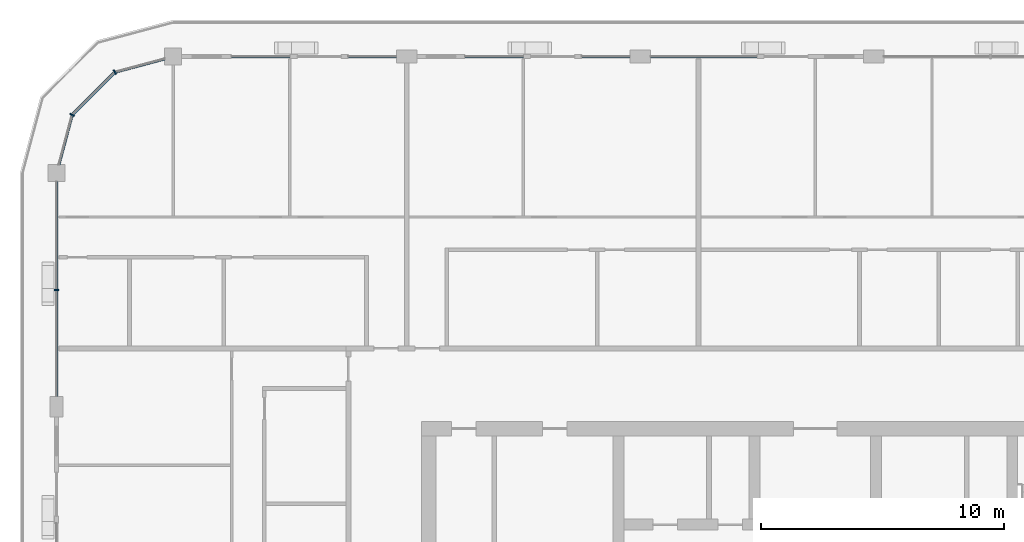
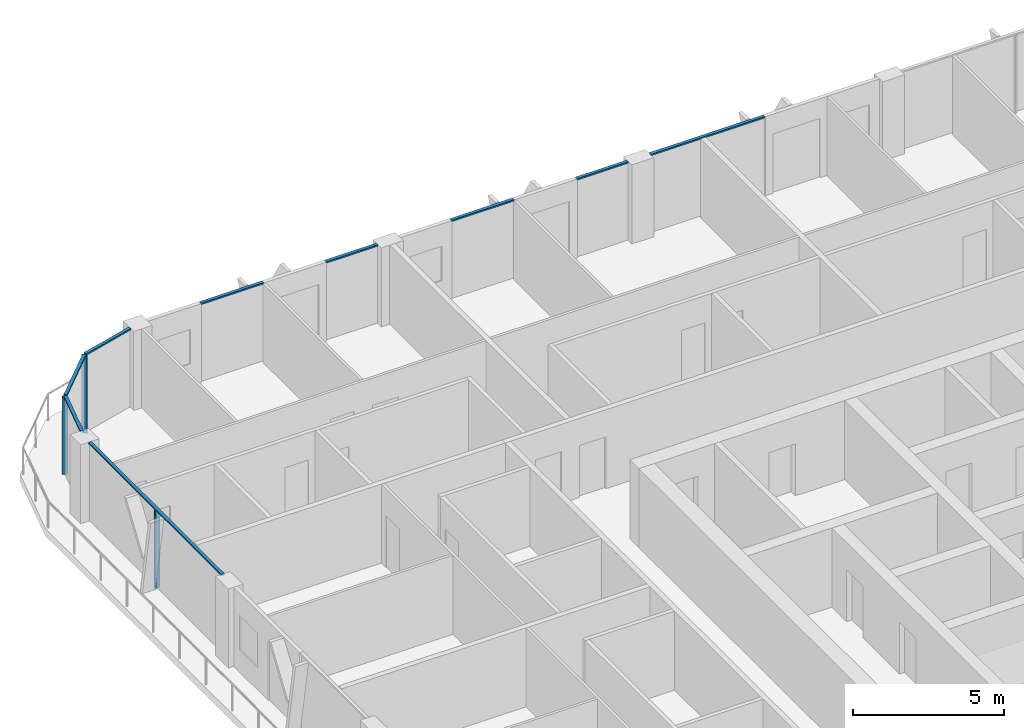
# One storey, part 5 of 21: 12 members, 5 elements without a shape of their own.
"""IFC4 building model written with IfcOpenShell, lengths in metres."""

from ifc_helpers import new_model, si_unit, direction, frame, origin, origin_2d, place, context, subcontext, project, spatial, rectangle, extrude, material, layer, layer_set, material_profile, profile_set, type_object, element, aggregate, save


model = new_model("IFC4")

# Units and contexts
model_context = context("Model", 3, precision=1e-05, world=origin(), true_north=direction((0.0, 1.0)))
body_context = subcontext(model_context, "Body", "Model", "MODEL_VIEW")
ifc_project = project(units=[si_unit("LENGTHUNIT", "METRE"), si_unit("AREAUNIT", "SQUARE_METRE"), si_unit("VOLUMEUNIT", "CUBIC_METRE"), si_unit("PLANEANGLEUNIT", "RADIAN"), si_unit("MASSUNIT", "GRAM", prefix="KILO")], contexts=[model_context])

# Site, building, storey
site_placement = place(None, origin())
site = spatial("IfcSite", under=ifc_project, at=site_placement, CompositionType="ELEMENT")
building_placement = place(site_placement, origin())
building = spatial("IfcBuilding", under=site, at=building_placement, Name="Madar Terraces", CompositionType="ELEMENT")
storey_placement = place(building_placement, frame((0.0, 0.0, 238.699951171875)))
storey = spatial("IfcBuildingStorey", under=building, at=storey_placement, Name="L62", CompositionType="ELEMENT", Elevation=238.699951171875)

# Curtain wall, member
ifc_material_1 = material(Name="Glass, ceramic frit dark grey, with black aluminium frame", Category="aluminium")
ifc_layer = layer(ifc_material_1, 0.199951171875)
ifc_layer_set = layer_set([ifc_layer], Name="Facade curtain wall, fritted glass")
curtain_wall_type = type_object("IfcCurtainWallType", Name="Facade curtain wall, fritted glass", PredefinedType="NOTDEFINED", material=ifc_layer_set)
curtain_wall_1_placement = place(storey_placement, origin())
curtain_wall_1 = element("IfcCurtainWall", 1, at=curtain_wall_1_placement, inside=storey, type_object=curtain_wall_type, Name="Outer skin curtain wall west bay 1", PredefinedType="NOTDEFINED")
ifc_material_2 = material(Name="Aluminium, black anodised", Category="aluminium")
ifc_material_profile_1 = material_profile(ifc_material_2, rectangle(XDim=0.199951171875, YDim=0.06005859375, at=origin_2d()), Name="Facade mullion 60x200")
ifc_profile_set_1 = profile_set([ifc_material_profile_1], Name="Aluminium, black anodised")
member_type_1 = type_object("IfcMemberType", Name="Facade mullion 60x200", PredefinedType="MULLION", material=ifc_profile_set_1)
member_1_placement = place(storey_placement, frame((0.0, 43.199951171875, 0.0), z_axis=(0.0, 0.0, 1.0), x_axis=(1.0, 0.0, 0.0)))
member_1 = element("IfcMember", 2, at=member_1_placement, type_object=member_type_1, Name="Mullion 1", PredefinedType="MULLION", context=body_context, shape_type="SweptSolid", body=[
    extrude(rectangle(XDim=0.199951171875, YDim=0.06005859375, at=origin_2d()), origin(), (0.0, 0.0, 1.0), 3.14013671875),
])

# Curtain wall, members
curtain_wall_2_placement = place(storey_placement, origin())
curtain_wall_2 = element("IfcCurtainWall", 3, at=curtain_wall_2_placement, inside=storey, type_object=curtain_wall_type, Name="Outer skin curtain wall north-west corner", PredefinedType="NOTDEFINED")
member_2_placement = place(storey_placement, frame((2.39990234375, 52.156982421875, 0.0), z_axis=(0.0, 0.0, 1.0), x_axis=(0.499999989586, -0.866025409797, 0.0)))
member_2 = element("IfcMember", 4, at=member_2_placement, type_object=member_type_1, Name="Mullion 1", PredefinedType="MULLION", context=body_context, shape_type="SweptSolid", body=[
    extrude(rectangle(XDim=0.199951171875, YDim=0.06005859375, at=origin_2d()), origin(), (0.0, 0.0, 1.0), 3.14013671875),
])
member_3_placement = place(storey_placement, frame((0.64306640625, 50.39990234375, 0.0), z_axis=(0.0, 0.0, 1.0), x_axis=(0.866025409797, -0.499999989586, 0.0)))
member_3 = element("IfcMember", 5, at=member_3_placement, type_object=member_type_1, Name="Mullion 2", PredefinedType="MULLION", context=body_context, shape_type="SweptSolid", body=[
    extrude(rectangle(XDim=0.199951171875, YDim=0.06005859375, at=origin_2d()), origin(), (0.0, 0.0, 1.0), 3.14013671875),
])

# Curtain wall, member
curtain_wall_3_placement = place(storey_placement, origin())
curtain_wall_3 = element("IfcCurtainWall", 6, at=curtain_wall_3_placement, inside=storey, type_object=curtain_wall_type, Name="Outer skin curtain wall north bay 3", PredefinedType="NOTDEFINED")
ifc_material_3 = material(Name="Aluminium, black anodised", Category="aluminium")
ifc_material_profile_2 = material_profile(ifc_material_3, rectangle(XDim=0.1201171875, YDim=0.06005859375, at=origin_2d()), Name="Facade transom 60x120")
ifc_profile_set_2 = profile_set([ifc_material_profile_2], Name="Aluminium, black anodised")
member_type_2 = type_object("IfcMemberType", Name="Facade transom 60x120", PredefinedType="USERDEFINED", material=ifc_profile_set_2)
member_4_placement = place(storey_placement, frame((28.800048828125, 52.800048828125, 3.170166015625), z_axis=(-1.0, 0.0, 0.0), x_axis=(0.0, -1.0, 0.0)))
member_4 = element("IfcMember", 7, at=member_4_placement, type_object=member_type_2, Name="Transom 1", ObjectType="TRANSOM", PredefinedType="USERDEFINED", context=body_context, shape_type="SweptSolid", body=[
    extrude(rectangle(XDim=0.1201171875, YDim=0.06005859375, at=origin_2d()), origin(), (0.0, 0.0, 1.0), 4.375),
])
aggregate(curtain_wall_3, [member_4])

# Curtain wall, members
curtain_wall_4_placement = place(storey_placement, origin())
curtain_wall_4 = element("IfcCurtainWall", 8, at=curtain_wall_4_placement, inside=storey, type_object=curtain_wall_type, Name="Outer skin curtain wall north bay 4", PredefinedType="NOTDEFINED")
member_5_placement = place(storey_placement, frame((23.574951171875, 52.800048828125, 3.170166015625), z_axis=(-1.0, 0.0, 0.0), x_axis=(0.0, -1.0, 0.0)))
member_5 = element("IfcMember", 9, at=member_5_placement, type_object=member_type_2, Name="Transom 1", ObjectType="TRANSOM", PredefinedType="USERDEFINED", context=body_context, shape_type="SweptSolid", body=[
    extrude(rectangle(XDim=0.1201171875, YDim=0.06005859375, at=origin_2d()), origin(), (0.0, 0.0, 1.0), 1.974853515625),
])
member_6_placement = place(storey_placement, frame((19.199951171875, 52.800048828125, 3.170166015625), z_axis=(-1.0, 0.0, 0.0), x_axis=(0.0, -1.0, 0.0)))
member_6 = element("IfcMember", 10, at=member_6_placement, type_object=member_type_2, Name="Transom 2", ObjectType="TRANSOM", PredefinedType="USERDEFINED", context=body_context, shape_type="SweptSolid", body=[
    extrude(rectangle(XDim=0.1201171875, YDim=0.06005859375, at=origin_2d()), origin(), (0.0, 0.0, 1.0), 2.39990234375),
])
aggregate(curtain_wall_4, [member_5, member_6])

curtain_wall_5_placement = place(storey_placement, origin())
curtain_wall_5 = element("IfcCurtainWall", 11, at=curtain_wall_5_placement, inside=storey, type_object=curtain_wall_type, Name="Outer skin curtain wall north bay 5", PredefinedType="NOTDEFINED")
member_7_placement = place(storey_placement, frame((13.97509765625, 52.800048828125, 3.170166015625), z_axis=(-1.0, 0.0, 0.0), x_axis=(0.0, -1.0, 0.0)))
member_7 = element("IfcMember", 12, at=member_7_placement, type_object=member_type_2, Name="Transom 1", ObjectType="TRANSOM", PredefinedType="USERDEFINED", context=body_context, shape_type="SweptSolid", body=[
    extrude(rectangle(XDim=0.1201171875, YDim=0.06005859375, at=origin_2d()), origin(), (0.0, 0.0, 1.0), 1.97509765625),
])
member_8_placement = place(storey_placement, frame((9.60009765625, 52.800048828125, 3.170166015625), z_axis=(-1.0, 0.0, 0.0), x_axis=(0.0, -1.0, 0.0)))
member_8 = element("IfcMember", 13, at=member_8_placement, type_object=member_type_2, Name="Transom 2", ObjectType="TRANSOM", PredefinedType="USERDEFINED", context=body_context, shape_type="SweptSolid", body=[
    extrude(rectangle(XDim=0.1201171875, YDim=0.06005859375, at=origin_2d()), origin(), (0.0, 0.0, 1.0), 2.400146484375),
])
aggregate(curtain_wall_5, [member_7, member_8])

# Member
member_9_placement = place(storey_placement, frame((0.0, 47.64990234375, 3.170166015625), z_axis=(0.0, -1.0, 0.0), x_axis=(1.0, 0.0, 0.0)))
member_9 = element("IfcMember", 14, at=member_9_placement, type_object=member_type_2, Name="Transom 1", ObjectType="TRANSOM", PredefinedType="USERDEFINED", context=body_context, shape_type="SweptSolid", body=[
    extrude(rectangle(XDim=0.1201171875, YDim=0.06005859375, at=origin_2d()), origin(), (0.0, 0.0, 1.0), 8.824951171875),
])

aggregate(curtain_wall_1, [member_1, member_9])

member_10_placement = place(storey_placement, frame((4.449951171875, 52.706298828125, 3.170166015625), z_axis=(-0.965928259589, -0.258809963731, 0.0), x_axis=(0.258809963731, -0.965928259589, 0.0)))
member_10 = element("IfcMember", 15, at=member_10_placement, type_object=member_type_2, Name="Transom 1", ObjectType="TRANSOM", PredefinedType="USERDEFINED", context=body_context, shape_type="SweptSolid", body=[
    extrude(rectangle(XDim=0.1201171875, YDim=0.06005859375, at=origin_2d()), origin(), (0.0, 0.0, 1.0), 2.09228515625),
])

member_11_placement = place(storey_placement, frame((2.37890625, 52.1357421875, 3.170166015625), z_axis=(-0.707106781187, -0.707106781187, 0.0), x_axis=(0.707106781187, -0.707106781187, 0.0)))
member_11 = element("IfcMember", 16, at=member_11_placement, type_object=member_type_2, Name="Transom 2", ObjectType="TRANSOM", PredefinedType="USERDEFINED", context=body_context, shape_type="SweptSolid", body=[
    extrude(rectangle(XDim=0.1201171875, YDim=0.06005859375, at=origin_2d()), origin(), (0.0, 0.0, 1.0), 2.4248046875),
])

member_12_placement = place(storey_placement, frame((0.63525390625, 50.37109375, 3.170166015625), z_axis=(-0.258809963731, -0.965928259589, 0.0), x_axis=(0.965928259589, -0.258809963731, 0.0)))
member_12 = element("IfcMember", 17, at=member_12_placement, type_object=member_type_2, Name="Transom 3", ObjectType="TRANSOM", PredefinedType="USERDEFINED", context=body_context, shape_type="SweptSolid", body=[
    extrude(rectangle(XDim=0.1201171875, YDim=0.06005859375, at=origin_2d()), origin(), (0.0, 0.0, 1.0), 2.09228515625),
])

aggregate(curtain_wall_2, [member_2, member_10, member_3, member_11, member_12])

save(model, "model.ifc")
